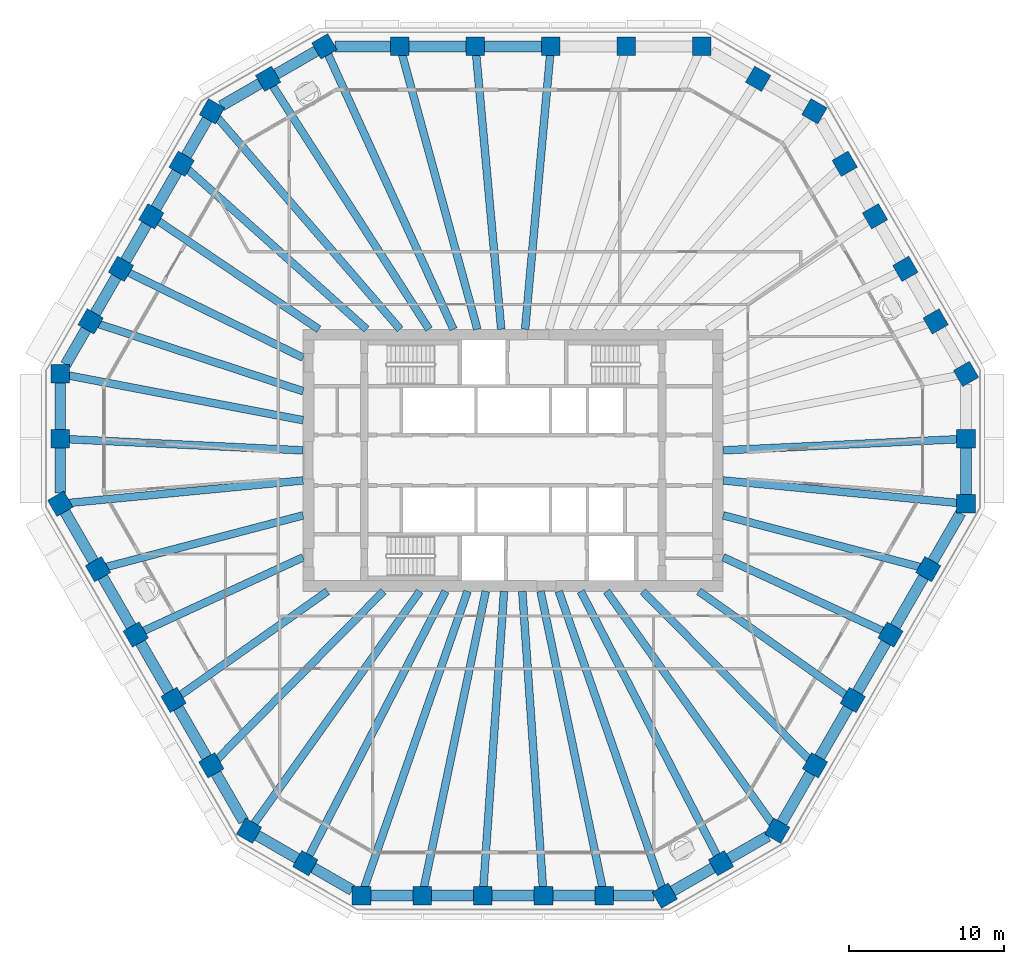
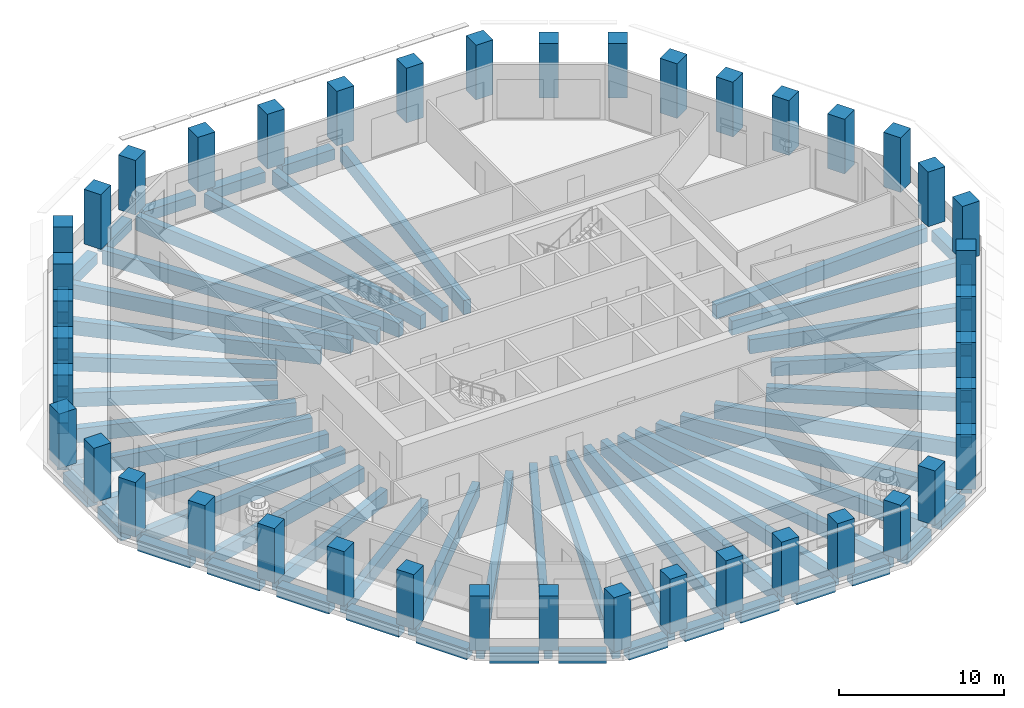
# One storey, part 1 of 12: 65 beams, 42 columns.
"""IFC4 building model written with IfcOpenShell, lengths in metres."""

from ifc_helpers import new_model, si_unit, direction, frame, origin, origin_2d, place, context, subcontext, project, spatial, rectangle, extrude, material, material_profile, profile_set, type_object, element, save


model = new_model("IFC4")

# Units and contexts
model_context = context("Model", 3, precision=1e-05, world=origin(), true_north=direction((0.0, 1.0)))
body_context = subcontext(model_context, "Body", "Model", "MODEL_VIEW")
ifc_project = project(units=[si_unit("LENGTHUNIT", "METRE"), si_unit("AREAUNIT", "SQUARE_METRE"), si_unit("VOLUMEUNIT", "CUBIC_METRE"), si_unit("PLANEANGLEUNIT", "RADIAN"), si_unit("MASSUNIT", "GRAM", prefix="KILO")], contexts=[model_context])

# Site, building, storey
site_placement = place(None, origin())
site = spatial("IfcSite", under=ifc_project, at=site_placement, CompositionType="ELEMENT")
building_placement = place(site_placement, origin())
building = spatial("IfcBuilding", under=site, at=building_placement, Name="Frailejon Research Tower", CompositionType="ELEMENT")
storey_placement = place(building_placement, frame((0.0, 0.0, 189.199951171875)))
storey = spatial("IfcBuildingStorey", under=building, at=storey_placement, Name="L41", CompositionType="ELEMENT", Elevation=189.199951171875)

# Columns
ifc_material_1 = material(Name="Concrete C60/75", Category="concrete")
ifc_material_profile_1 = material_profile(ifc_material_1, rectangle(XDim=1.199951171875, YDim=1.199951171875, at=origin_2d()), Name="Column 1200")
ifc_profile_set_1 = profile_set([ifc_material_profile_1], Name="Concrete C60/75")
column_type = type_object("IfcColumnType", Name="Column 1200", PredefinedType="COLUMN", material=ifc_profile_set_1)
for number, where, z_axis, x_axis, name in (
    (1, (29.211181640625, -2.8046875, 0.0), (0.0, 0.0, 1.0), (0.0, 1.0, 0.0), "Column C01"),
    (2, (29.211181640625, 1.3828125, 0.0), (0.0, 0.0, 1.0), (0.0, 1.0, 0.0), "Column C02"),
    (3, (29.211181640625, 5.5703125, 0.0), (0.0, 0.0, 1.0), (-0.5, 0.866025403784, 0.0), "Column C03"),
    (4, (27.2548828125, 8.958740234375, 0.0), (0.0, 0.0, 1.0), (-0.5, 0.866025403784, 0.0), "Column C04"),
    (5, (25.298583984375, 12.34716796875, 0.0), (0.0, 0.0, 1.0), (-0.5, 0.866025403784, 0.0), "Column C05"),
    (6, (23.34228515625, 15.735595703125, 0.0), (0.0, 0.0, 1.0), (-0.5, 0.866025403784, 0.0), "Column C06"),
    (7, (21.385986328125, 19.1240234375, 0.0), (0.0, 0.0, 1.0), (-0.5, 0.866025403784, 0.0), "Column C07"),
    (8, (19.4296875, 22.512451171875, 0.0), (0.0, 0.0, 1.0), (-0.866025403784, 0.5, 0.0), "Column C08"),
    (9, (15.802978515625, 24.606201171875, 0.0), (0.0, 0.0, 1.0), (-0.866025403784, 0.5, 0.0), "Column C09"),
    (10, (12.176513671875, 26.699951171875, 0.0), (0.0, 0.0, 1.0), (-1.0, 0.0, 0.0), "Column C10"),
    (11, (7.305908203125, 26.699951171875, 0.0), (0.0, 0.0, 1.0), (-1.0, 0.0, 0.0), "Column C11"),
    (12, (2.435302734375, 26.699951171875, 0.0), (0.0, 0.0, 1.0), (-1.0, 0.0, 0.0), "Column C12"),
    (13, (-2.435302734375, 26.699951171875, 0.0), (0.0, 0.0, 1.0), (-1.0, 0.0, 0.0), "Column C13"),
    (14, (-7.305908203125, 26.699951171875, 0.0), (0.0, 0.0, 1.0), (-1.0, 0.0, 0.0), "Column C14"),
    (15, (-12.176513671875, 26.699951171875, 0.0), (0.0, 0.0, 1.0), (-0.866025403784, -0.5, 0.0), "Column C15"),
    (16, (-15.802978515625, 24.606201171875, 0.0), (0.0, 0.0, 1.0), (-0.866025403784, -0.5, 0.0), "Column C16"),
    (17, (-19.4296875, 22.512451171875, 0.0), (0.0, 0.0, 1.0), (-0.5, -0.866025403784, 0.0), "Column C17"),
    (18, (-21.385986328125, 19.1240234375, 0.0), (0.0, 0.0, 1.0), (-0.5, -0.866025403784, 0.0), "Column C18"),
    (19, (-23.34228515625, 15.735595703125, 0.0), (0.0, 0.0, 1.0), (-0.5, -0.866025403784, 0.0), "Column C19"),
    (20, (-25.298583984375, 12.34716796875, 0.0), (0.0, 0.0, 1.0), (-0.5, -0.866025403784, 0.0), "Column C20"),
    (21, (-27.2548828125, 8.958740234375, 0.0), (0.0, 0.0, 1.0), (-0.5, -0.866025403784, 0.0), "Column C21"),
    (22, (-29.211181640625, 5.5703125, 0.0), (0.0, 0.0, 1.0), (0.0, -1.0, 0.0), "Column C22"),
    (23, (-29.211181640625, 1.3828125, 0.0), (0.0, 0.0, 1.0), (0.0, -1.0, 0.0), "Column C23"),
    (24, (-29.211181640625, -2.8046875, 0.0), (0.0, 0.0, 1.0), (0.5, -0.866025403784, 0.0), "Column C24"),
    (25, (-26.77587890625, -7.02294921875, 0.0), (0.0, 0.0, 1.0), (0.5, -0.866025403784, 0.0), "Column C25"),
    (26, (-24.340576171875, -11.240966796875, 0.0), (0.0, 0.0, 1.0), (0.5, -0.866025403784, 0.0), "Column C26"),
    (27, (-21.9052734375, -15.458984375, 0.0), (0.0, 0.0, 1.0), (0.5, -0.866025403784, 0.0), "Column C27"),
    (28, (-19.469970703125, -19.677001953125, 0.0), (0.0, 0.0, 1.0), (0.5, -0.866025403784, 0.0), "Column C28"),
    (29, (-17.03466796875, -23.895263671875, 0.0), (0.0, 0.0, 1.0), (0.866025403784, -0.5, 0.0), "Column C29"),
    (30, (-13.408203125, -25.989013671875, 0.0), (0.0, 0.0, 1.0), (0.866025403784, -0.5, 0.0), "Column C30"),
    (31, (-9.781494140625, -28.082763671875, 0.0), (0.0, 0.0, 1.0), (1.0, 0.0, 0.0), "Column C31"),
    (32, (-5.868896484375, -28.082763671875, 0.0), (0.0, 0.0, 1.0), (1.0, 0.0, 0.0), "Column C32"),
    (33, (-1.956298828125, -28.082763671875, 0.0), (0.0, 0.0, 1.0), (1.0, 0.0, 0.0), "Column C33"),
    (34, (1.956298828125, -28.082763671875, 0.0), (0.0, 0.0, 1.0), (1.0, 0.0, 0.0), "Column C34"),
    (35, (5.868896484375, -28.082763671875, 0.0), (0.0, 0.0, 1.0), (1.0, 0.0, 0.0), "Column C35"),
    (36, (9.781494140625, -28.082763671875, 0.0), (0.0, 0.0, 1.0), (0.866025403784, 0.5, 0.0), "Column C36"),
    (37, (13.408203125, -25.989013671875, 0.0), (0.0, 0.0, 1.0), (0.866025403784, 0.5, 0.0), "Column C37"),
    (38, (17.03466796875, -23.895263671875, 0.0), (0.0, 0.0, 1.0), (0.5, 0.866025403784, 0.0), "Column C38"),
    (39, (19.469970703125, -19.677001953125, 0.0), (0.0, 0.0, 1.0), (0.5, 0.866025403784, 0.0), "Column C39"),
    (40, (21.9052734375, -15.458984375, 0.0), (0.0, 0.0, 1.0), (0.5, 0.866025403784, 0.0), "Column C40"),
    (41, (24.340576171875, -11.240966796875, 0.0), (0.0, 0.0, 1.0), (0.5, 0.866025403784, 0.0), "Column C41"),
    (42, (26.77587890625, -7.02294921875, 0.0), (0.0, 0.0, 1.0), (0.5, 0.866025403784, 0.0), "Column C42"),
):
    element("IfcColumn", number, at=place(storey_placement, frame(where, z_axis=z_axis, x_axis=x_axis)), inside=storey, type_object=column_type, Name=name, PredefinedType="COLUMN", context=body_context, shape_type="SweptSolid", body=[
        extrude(rectangle(XDim=1.199951171875, YDim=1.199951171875, at=origin_2d()), origin(), (0.0, 0.0, 1.0), 4.050048828125),
    ])

# Beams
ifc_material_2 = material(Name="Concrete C60/75", Category="concrete")
ifc_material_profile_2 = material_profile(ifc_material_2, rectangle(XDim=0.5, YDim=1.050048828125, at=origin_2d()), Name="Girder 500x1050")
ifc_profile_set_2 = profile_set([ifc_material_profile_2], Name="Concrete C60/75")
beam_type_1 = type_object("IfcBeamType", Name="Girder 500x1050", PredefinedType="BEAM", material=ifc_profile_set_2)
beam_1_placement = place(storey_placement, frame((28.760498046875, -2.761474609375, -0.824951171875), z_axis=(-0.995422075733, 0.095576624459, 0.0), x_axis=(-0.095576624459, -0.995422075733, 0.0)))
element("IfcBeam", 43, at=beam_1_placement, inside=storey, type_object=beam_type_1, Name="Girder 500x1050", PredefinedType="BEAM", context=body_context, shape_type="SweptSolid", body=[
    extrude(rectangle(XDim=0.5, YDim=1.050048828125, at=origin_2d()), origin(), (0.0, 0.0, 1.0), 15.280517578125),
])
beam_2_placement = place(storey_placement, frame((28.760986328125, 1.361572265625, -0.824951171875), z_axis=(-0.998880941735, -0.047295499135, 0.0), x_axis=(0.047295499135, -0.998880941735, 0.0)))
element("IfcBeam", 44, at=beam_2_placement, inside=storey, type_object=beam_type_1, Name="Girder 500x1050", PredefinedType="BEAM", context=body_context, shape_type="SweptSolid", body=[
    extrude(rectangle(XDim=0.5, YDim=1.050048828125, at=origin_2d()), origin(), (0.0, 0.0, 1.0), 15.22802734375),
])
for number, where, z_axis, x_axis, name in (
    (45, (2.394287109375, 26.24951171875, -0.824951171875), (-0.090835017193, -0.99586595466, 0.0), (0.99586595466, -0.090835017193, 0.0), "Girder 500x1050"),
    (46, (-2.394287109375, 26.24951171875, -0.824951171875), (0.090835017193, -0.99586595466, 0.0), (0.99586595466, 0.090835017193, 0.0), "Girder 500x1050"),
):
    element("IfcBeam", number, at=place(storey_placement, frame(where, z_axis=z_axis, x_axis=x_axis)), inside=storey, type_object=beam_type_1, Name=name, PredefinedType="BEAM", context=body_context, shape_type="SweptSolid", body=[
        extrude(rectangle(XDim=0.5, YDim=1.050048828125, at=origin_2d()), origin(), (0.0, 0.0, 1.0), 17.87353515625),
    ])
beam_3_placement = place(storey_placement, frame((-7.181396484375, 26.24462890625, -0.824951171875), z_axis=(0.26392689173, -0.964542687402, 0.0), x_axis=(0.964542687402, 0.26392689173, 0.0)))
element("IfcBeam", 47, at=beam_3_placement, inside=storey, type_object=beam_type_1, Name="Girder 500x1050", PredefinedType="BEAM", context=body_context, shape_type="SweptSolid", body=[
    extrude(rectangle(XDim=0.5, YDim=1.050048828125, at=origin_2d()), origin(), (0.0, 0.0, 1.0), 18.44873046875),
])
beam_4_placement = place(storey_placement, frame((-11.988525390625, 26.2880859375, -0.824951171875), z_axis=(0.414934108242, -0.909851463602, 0.0), x_axis=(0.909851463602, 0.414934108242, 0.0)))
element("IfcBeam", 48, at=beam_4_placement, inside=storey, type_object=beam_type_1, Name="Girder 500x1050", PredefinedType="BEAM", context=body_context, shape_type="SweptSolid", body=[
    extrude(rectangle(XDim=0.5, YDim=1.050048828125, at=origin_2d()), origin(), (0.0, 0.0, 1.0), 19.60546875),
])
beam_5_placement = place(storey_placement, frame((-15.5595703125, 24.22705078125, -0.824951171875), z_axis=(0.540385728464, -0.841417413935, 0.0), x_axis=(0.841417413935, 0.540385728464, 0.0)))
element("IfcBeam", 49, at=beam_5_placement, inside=storey, type_object=beam_type_1, Name="Girder 500x1050", PredefinedType="BEAM", context=body_context, shape_type="SweptSolid", body=[
    extrude(rectangle(XDim=0.5, YDim=1.050048828125, at=origin_2d()), origin(), (0.0, 0.0, 1.0), 18.750732421875),
])
beam_6_placement = place(storey_placement, frame((-19.112548828125, 22.14501953125, -0.824951171875), z_axis=(0.653367200863, -0.757041148708, 0.0), x_axis=(0.757041148708, 0.653367200863, 0.0)))
element("IfcBeam", 50, at=beam_6_placement, inside=storey, type_object=beam_type_1, Name="Girder 500x1050", PredefinedType="BEAM", context=body_context, shape_type="SweptSolid", body=[
    extrude(rectangle(XDim=0.5, YDim=1.050048828125, at=origin_2d()), origin(), (0.0, 0.0, 1.0), 18.09033203125),
])
beam_7_placement = place(storey_placement, frame((-21.040771484375, 18.8154296875, -0.824951171875), z_axis=(0.745423192946, -0.666591526663, 0.0), x_axis=(0.666591526663, 0.745423192946, 0.0)))
element("IfcBeam", 51, at=beam_7_placement, inside=storey, type_object=beam_type_1, Name="Girder 500x1050", PredefinedType="BEAM", context=body_context, shape_type="SweptSolid", body=[
    extrude(rectangle(XDim=0.5, YDim=1.050048828125, at=origin_2d()), origin(), (0.0, 0.0, 1.0), 15.550048828125),
])
beam_8_placement = place(storey_placement, frame((-22.968017578125, 15.483154296875, -0.824951171875), z_axis=(0.829191550788, -0.55896455353, 0.0), x_axis=(0.55896455353, 0.829191550788, 0.0)))
element("IfcBeam", 52, at=beam_8_placement, inside=storey, type_object=beam_type_1, Name="Girder 500x1050", PredefinedType="BEAM", context=body_context, shape_type="SweptSolid", body=[
    extrude(rectangle(XDim=0.5, YDim=1.050048828125, at=origin_2d()), origin(), (0.0, 0.0, 1.0), 12.58251953125),
])
beam_9_placement = place(storey_placement, frame((-24.892822265625, 12.149169921875, -0.824951171875), z_axis=(0.898680124008, -0.438604645111, 0.0), x_axis=(0.438604645111, 0.898680124008, 0.0)))
element("IfcBeam", 53, at=beam_9_placement, inside=storey, type_object=beam_type_1, Name="Girder 500x1050", PredefinedType="BEAM", context=body_context, shape_type="SweptSolid", body=[
    extrude(rectangle(XDim=0.5, YDim=1.050048828125, at=origin_2d()), origin(), (0.0, 0.0, 1.0), 12.62158203125),
])
beam_10_placement = place(storey_placement, frame((-26.81494140625, 8.814208984375, -0.824951171875), z_axis=(0.949991667334, -0.312275250374, 0.0), x_axis=(0.312275250374, 0.949991667334, 0.0)))
element("IfcBeam", 54, at=beam_10_placement, inside=storey, type_object=beam_type_1, Name="Girder 500x1050", PredefinedType="BEAM", context=body_context, shape_type="SweptSolid", body=[
    extrude(rectangle(XDim=0.5, YDim=1.050048828125, at=origin_2d()), origin(), (0.0, 0.0, 1.0), 13.963134765625),
])
beam_11_placement = place(storey_placement, frame((-28.75830078125, 5.48388671875, -0.824951171875), z_axis=(0.982301833561, -0.187304852536, 0.0), x_axis=(0.187304852536, 0.982301833561, 0.0)))
element("IfcBeam", 55, at=beam_11_placement, inside=storey, type_object=beam_type_1, Name="Girder 500x1050", PredefinedType="BEAM", context=body_context, shape_type="SweptSolid", body=[
    extrude(rectangle(XDim=0.5, YDim=1.050048828125, at=origin_2d()), origin(), (0.0, 0.0, 1.0), 15.482177734375),
])
beam_12_placement = place(storey_placement, frame((-28.760986328125, 1.361572265625, -0.824951171875), z_axis=(0.998880941735, -0.047295499135, 0.0), x_axis=(0.047295499135, 0.998880941735, 0.0)))
element("IfcBeam", 56, at=beam_12_placement, inside=storey, type_object=beam_type_1, Name="Girder 500x1050", PredefinedType="BEAM", context=body_context, shape_type="SweptSolid", body=[
    extrude(rectangle(XDim=0.5, YDim=1.050048828125, at=origin_2d()), origin(), (0.0, 0.0, 1.0), 15.22802734375),
])
beam_13_placement = place(storey_placement, frame((-28.7041015625, -2.756103515625, -0.824951171875), z_axis=(0.995421801499, 0.095579480545, 0.0), x_axis=(-0.095579480545, 0.995421801499, 0.0)))
element("IfcBeam", 57, at=beam_13_placement, inside=storey, type_object=beam_type_1, Name="Girder 500x1050", PredefinedType="BEAM", context=body_context, shape_type="SweptSolid", body=[
    extrude(rectangle(XDim=0.5, YDim=1.050048828125, at=origin_2d()), origin(), (0.0, 0.0, 1.0), 15.2236328125),
])
beam_14_placement = place(storey_placement, frame((-26.319091796875, -6.903076171875, -0.824951171875), z_axis=(0.967282154097, 0.253703043668, 0.0), x_axis=(-0.253703043668, 0.967282154097, 0.0)))
element("IfcBeam", 58, at=beam_14_placement, inside=storey, type_object=beam_type_1, Name="Girder 500x1050", PredefinedType="BEAM", context=body_context, shape_type="SweptSolid", body=[
    extrude(rectangle(XDim=0.5, YDim=1.050048828125, at=origin_2d()), origin(), (0.0, 0.0, 1.0), 13.200927734375),
])
beam_15_placement = place(storey_placement, frame((-23.9296875, -11.05126953125, -0.824951171875), z_axis=(0.90786436201, 0.419263998206, 0.0), x_axis=(-0.419263998206, 0.90786436201, 0.0)))
element("IfcBeam", 59, at=beam_15_placement, inside=storey, type_object=beam_type_1, Name="Girder 500x1050", PredefinedType="BEAM", context=body_context, shape_type="SweptSolid", body=[
    extrude(rectangle(XDim=0.5, YDim=1.050048828125, at=origin_2d()), origin(), (0.0, 0.0, 1.0), 11.43310546875),
])
beam_16_placement = place(storey_placement, frame((-21.535400390625, -15.197998046875, -0.824951171875), z_axis=(0.817032608379, 0.576591464423, 0.0), x_axis=(-0.576591464423, 0.817032608379, 0.0)))
element("IfcBeam", 60, at=beam_16_placement, inside=storey, type_object=beam_type_1, Name="Girder 500x1050", PredefinedType="BEAM", context=body_context, shape_type="SweptSolid", body=[
    extrude(rectangle(XDim=0.5, YDim=1.050048828125, at=origin_2d()), origin(), (0.0, 0.0, 1.0), 11.703369140625),
])
beam_17_placement = place(storey_placement, frame((-19.137939453125, -19.341552734375, -0.824951171875), z_axis=(0.703352409906, 0.7108413237, 0.0), x_axis=(-0.7108413237, 0.703352409906, 0.0)))
element("IfcBeam", 61, at=beam_17_placement, inside=storey, type_object=beam_type_1, Name="Girder 500x1050", PredefinedType="BEAM", context=body_context, shape_type="SweptSolid", body=[
    extrude(rectangle(XDim=0.5, YDim=1.050048828125, at=origin_2d()), origin(), (0.0, 0.0, 1.0), 15.322021484375),
])
beam_18_placement = place(storey_placement, frame((-16.771728515625, -23.526611328125, -0.824951171875), z_axis=(0.580478331668, 0.814275694383, 0.0), x_axis=(-0.814275694383, 0.580478331668, 0.0)))
element("IfcBeam", 62, at=beam_18_placement, inside=storey, type_object=beam_type_1, Name="Girder 500x1050", PredefinedType="BEAM", context=body_context, shape_type="SweptSolid", body=[
    extrude(rectangle(XDim=0.5, YDim=1.050048828125, at=origin_2d()), origin(), (0.0, 0.0, 1.0), 18.515380859375),
])
beam_19_placement = place(storey_placement, frame((-13.201416015625, -25.58837890625, -0.824951171875), z_axis=(0.458485544695, 0.888701865254, 0.0), x_axis=(-0.888701865254, 0.458485544695, 0.0)))
element("IfcBeam", 63, at=beam_19_placement, inside=storey, type_object=beam_type_1, Name="Girder 500x1050", PredefinedType="BEAM", context=body_context, shape_type="SweptSolid", body=[
    extrude(rectangle(XDim=0.5, YDim=1.050048828125, at=origin_2d()), origin(), (0.0, 0.0, 1.0), 19.28466796875),
])
beam_20_placement = place(storey_placement, frame((-9.621826171875, -27.62451171875, -0.824951171875), z_axis=(0.328929127062, 0.944354609969, 0.0), x_axis=(-0.944354609969, 0.328929127062, 0.0)))
element("IfcBeam", 64, at=beam_20_placement, inside=storey, type_object=beam_type_1, Name="Girder 500x1050", PredefinedType="BEAM", context=body_context, shape_type="SweptSolid", body=[
    extrude(rectangle(XDim=0.5, YDim=1.050048828125, at=origin_2d()), origin(), (0.0, 0.0, 1.0), 20.304443359375),
])
beam_21_placement = place(storey_placement, frame((-5.774169921875, -27.629638671875, -0.824951171875), z_axis=(0.204567218068, 0.978852518663, 0.0), x_axis=(-0.978852518663, 0.204567218068, 0.0)))
element("IfcBeam", 65, at=beam_21_placement, inside=storey, type_object=beam_type_1, Name="Girder 500x1050", PredefinedType="BEAM", context=body_context, shape_type="SweptSolid", body=[
    extrude(rectangle(XDim=0.5, YDim=1.050048828125, at=origin_2d()), origin(), (0.0, 0.0, 1.0), 19.593994140625),
])
for number, where, z_axis, x_axis, name in (
    (66, (-1.9248046875, -27.63232421875, -0.824951171875), (0.06948836665, 0.99758276193, 0.0), (-0.99758276193, 0.06948836665, 0.0), "Girder 500x1050"),
    (67, (1.9248046875, -27.63232421875, -0.824951171875), (-0.06948836665, 0.99758276193, 0.0), (-0.99758276193, -0.06948836665, 0.0), "Girder 500x1050"),
):
    element("IfcBeam", number, at=place(storey_placement, frame(where, z_axis=z_axis, x_axis=x_axis)), inside=storey, type_object=beam_type_1, Name=name, PredefinedType="BEAM", context=body_context, shape_type="SweptSolid", body=[
        extrude(rectangle(XDim=0.5, YDim=1.050048828125, at=origin_2d()), origin(), (0.0, 0.0, 1.0), 19.228759765625),
    ])
beam_22_placement = place(storey_placement, frame((5.774169921875, -27.629638671875, -0.824951171875), z_axis=(-0.204567218068, 0.978852518663, 0.0), x_axis=(-0.978852518663, -0.204567218068, 0.0)))
element("IfcBeam", 68, at=beam_22_placement, inside=storey, type_object=beam_type_1, Name="Girder 500x1050", PredefinedType="BEAM", context=body_context, shape_type="SweptSolid", body=[
    extrude(rectangle(XDim=0.5, YDim=1.050048828125, at=origin_2d()), origin(), (0.0, 0.0, 1.0), 19.593994140625),
])
beam_23_placement = place(storey_placement, frame((9.6298828125, -27.647705078125, -0.824951171875), z_axis=(-0.328928167992, 0.944354944023, 0.0), x_axis=(-0.944354944023, -0.328928167992, 0.0)))
element("IfcBeam", 69, at=beam_23_placement, inside=storey, type_object=beam_type_1, Name="Girder 500x1050", PredefinedType="BEAM", context=body_context, shape_type="SweptSolid", body=[
    extrude(rectangle(XDim=0.5, YDim=1.050048828125, at=origin_2d()), origin(), (0.0, 0.0, 1.0), 20.328857421875),
])
beam_24_placement = place(storey_placement, frame((13.201416015625, -25.58837890625, -0.824951171875), z_axis=(-0.458485544695, 0.888701865254, 0.0), x_axis=(-0.888701865254, -0.458485544695, 0.0)))
element("IfcBeam", 70, at=beam_24_placement, inside=storey, type_object=beam_type_1, Name="Girder 500x1050", PredefinedType="BEAM", context=body_context, shape_type="SweptSolid", body=[
    extrude(rectangle(XDim=0.5, YDim=1.050048828125, at=origin_2d()), origin(), (0.0, 0.0, 1.0), 19.28466796875),
])
beam_25_placement = place(storey_placement, frame((16.739013671875, -23.48046875, -0.824951171875), z_axis=(-0.580484766177, 0.814271107332, 0.0), x_axis=(-0.814271107332, -0.580484766177, 0.0)))
element("IfcBeam", 71, at=beam_25_placement, inside=storey, type_object=beam_type_1, Name="Girder 500x1050", PredefinedType="BEAM", context=body_context, shape_type="SweptSolid", body=[
    extrude(rectangle(XDim=0.5, YDim=1.050048828125, at=origin_2d()), origin(), (0.0, 0.0, 1.0), 18.458740234375),
])
beam_26_placement = place(storey_placement, frame((19.137939453125, -19.341552734375, -0.824951171875), z_axis=(-0.703352409906, 0.7108413237, 0.0), x_axis=(-0.7108413237, -0.703352409906, 0.0)))
element("IfcBeam", 72, at=beam_26_placement, inside=storey, type_object=beam_type_1, Name="Girder 500x1050", PredefinedType="BEAM", context=body_context, shape_type="SweptSolid", body=[
    extrude(rectangle(XDim=0.5, YDim=1.050048828125, at=origin_2d()), origin(), (0.0, 0.0, 1.0), 15.322021484375),
])
beam_27_placement = place(storey_placement, frame((21.535400390625, -15.197998046875, -0.824951171875), z_axis=(-0.817032608379, 0.576591464423, 0.0), x_axis=(-0.576591464423, -0.817032608379, 0.0)))
element("IfcBeam", 73, at=beam_27_placement, inside=storey, type_object=beam_type_1, Name="Girder 500x1050", PredefinedType="BEAM", context=body_context, shape_type="SweptSolid", body=[
    extrude(rectangle(XDim=0.5, YDim=1.050048828125, at=origin_2d()), origin(), (0.0, 0.0, 1.0), 11.703369140625),
])
beam_28_placement = place(storey_placement, frame((23.9296875, -11.05126953125, -0.824951171875), z_axis=(-0.90786436201, 0.419263998206, 0.0), x_axis=(-0.419263998206, -0.90786436201, 0.0)))
element("IfcBeam", 74, at=beam_28_placement, inside=storey, type_object=beam_type_1, Name="Girder 500x1050", PredefinedType="BEAM", context=body_context, shape_type="SweptSolid", body=[
    extrude(rectangle(XDim=0.5, YDim=1.050048828125, at=origin_2d()), origin(), (0.0, 0.0, 1.0), 11.43310546875),
])
beam_29_placement = place(storey_placement, frame((26.319091796875, -6.903076171875, -0.824951171875), z_axis=(-0.967282154097, 0.253703043668, 0.0), x_axis=(-0.253703043668, -0.967282154097, 0.0)))
element("IfcBeam", 75, at=beam_29_placement, inside=storey, type_object=beam_type_1, Name="Girder 500x1050", PredefinedType="BEAM", context=body_context, shape_type="SweptSolid", body=[
    extrude(rectangle(XDim=0.5, YDim=1.050048828125, at=origin_2d()), origin(), (0.0, 0.0, 1.0), 13.200927734375),
])
ifc_material_3 = material(Name="Concrete C60/75", Category="concrete")
ifc_material_profile_3 = material_profile(ifc_material_3, rectangle(XDim=0.699951171875, YDim=0.800048828125, at=origin_2d()), Name="Spandrel 700x800")
ifc_profile_set_3 = profile_set([ifc_material_profile_3], Name="Concrete C60/75")
beam_type_2 = type_object("IfcBeamType", Name="Spandrel 700x800", PredefinedType="BEAM", material=ifc_profile_set_3)
beam_30_placement = place(storey_placement, frame((29.211181640625, -2.204833984375, -0.75), z_axis=(0.0, 1.0, 0.0), x_axis=(-1.0, 0.0, 0.0)))
element("IfcBeam", 76, at=beam_30_placement, inside=storey, type_object=beam_type_2, Name="Spandrel 700x800", PredefinedType="BEAM", context=body_context, shape_type="SweptSolid", body=[
    extrude(rectangle(XDim=0.699951171875, YDim=0.800048828125, at=origin_2d()), origin(), (0.0, 0.0, 1.0), 2.987548828125),
])
for number, where, z_axis, x_axis, name in (
    (77, (1.835205078125, 26.699951171875, -0.75), (-1.0, 0.0, 0.0), (0.0, -1.0, 0.0), "Spandrel 700x800"),
    (78, (-3.035400390625, 26.699951171875, -0.75), (-1.0, 0.0, 0.0), (0.0, -1.0, 0.0), "Spandrel 700x800"),
):
    element("IfcBeam", number, at=place(storey_placement, frame(where, z_axis=z_axis, x_axis=x_axis)), inside=storey, type_object=beam_type_2, Name=name, PredefinedType="BEAM", context=body_context, shape_type="SweptSolid", body=[
        extrude(rectangle(XDim=0.699951171875, YDim=0.800048828125, at=origin_2d()), origin(), (0.0, 0.0, 1.0), 3.67041015625),
    ])
beam_31_placement = place(storey_placement, frame((-7.906005859375, 26.699951171875, -0.75), z_axis=(-1.0, 0.0, 0.0), x_axis=(0.0, -1.0, 0.0)))
element("IfcBeam", 79, at=beam_31_placement, inside=storey, type_object=beam_type_2, Name="Spandrel 700x800", PredefinedType="BEAM", context=body_context, shape_type="SweptSolid", body=[
    extrude(rectangle(XDim=0.699951171875, YDim=0.800048828125, at=origin_2d()), origin(), (0.0, 0.0, 1.0), 3.57763671875),
])
beam_32_placement = place(storey_placement, frame((-12.696044921875, 26.39990234375, -0.75), z_axis=(-0.866052229876, -0.499953532967, 0.0), x_axis=(0.499953532967, -0.866052229876, 0.0)))
element("IfcBeam", 80, at=beam_32_placement, inside=storey, type_object=beam_type_2, Name="Spandrel 700x800", PredefinedType="BEAM", context=body_context, shape_type="SweptSolid", body=[
    extrude(rectangle(XDim=0.699951171875, YDim=0.800048828125, at=origin_2d()), origin(), (0.0, 0.0, 1.0), 2.987548828125),
])
beam_33_placement = place(storey_placement, frame((-16.32275390625, 24.30615234375, -0.75), z_axis=(-0.866033897268, -0.499985288567, 0.0), x_axis=(0.499985288567, -0.866033897268, 0.0)))
element("IfcBeam", 81, at=beam_33_placement, inside=storey, type_object=beam_type_2, Name="Spandrel 700x800", PredefinedType="BEAM", context=body_context, shape_type="SweptSolid", body=[
    extrude(rectangle(XDim=0.699951171875, YDim=0.800048828125, at=origin_2d()), origin(), (0.0, 0.0, 1.0), 2.89453125),
])
for number, where, z_axis, x_axis, name in (
    (82, (-19.7294921875, 21.992919921875, -0.75), (-0.500010688608, -0.866019232626, 0.0), (0.866019232626, -0.500010688608, 0.0), "Spandrel 700x800"),
    (83, (-21.685791015625, 18.6044921875, -0.75), (-0.500010688608, -0.866019232626, 0.0), (0.866019232626, -0.500010688608, 0.0), "Spandrel 700x800"),
    (84, (-23.64208984375, 15.216064453125, -0.75), (-0.500010688608, -0.866019232626, 0.0), (0.866019232626, -0.500010688608, 0.0), "Spandrel 700x800"),
    (85, (-25.598388671875, 11.82763671875, -0.75), (-0.500010688608, -0.866019232626, 0.0), (0.866019232626, -0.500010688608, 0.0), "Spandrel 700x800"),
):
    element("IfcBeam", number, at=place(storey_placement, frame(where, z_axis=z_axis, x_axis=x_axis)), inside=storey, type_object=beam_type_2, Name=name, PredefinedType="BEAM", context=body_context, shape_type="SweptSolid", body=[
        extrude(rectangle(XDim=0.699951171875, YDim=0.800048828125, at=origin_2d()), origin(), (0.0, 0.0, 1.0), 2.712890625),
    ])
beam_34_placement = place(storey_placement, frame((-27.5546875, 8.439208984375, -0.75), z_axis=(-0.500047801172, -0.865997804006, 0.0), x_axis=(0.865997804006, -0.500047801172, 0.0)))
element("IfcBeam", 86, at=beam_34_placement, inside=storey, type_object=beam_type_2, Name="Spandrel 700x800", PredefinedType="BEAM", context=body_context, shape_type="SweptSolid", body=[
    extrude(rectangle(XDim=0.699951171875, YDim=0.800048828125, at=origin_2d()), origin(), (0.0, 0.0, 1.0), 2.619873046875),
])
beam_35_placement = place(storey_placement, frame((-29.211181640625, 4.97021484375, -0.75), z_axis=(0.0, -1.0, 0.0), x_axis=(1.0, 0.0, 0.0)))
element("IfcBeam", 87, at=beam_35_placement, inside=storey, type_object=beam_type_2, Name="Spandrel 700x800", PredefinedType="BEAM", context=body_context, shape_type="SweptSolid", body=[
    extrude(rectangle(XDim=0.699951171875, YDim=0.800048828125, at=origin_2d()), origin(), (0.0, 0.0, 1.0), 2.9873046875),
])
beam_36_placement = place(storey_placement, frame((-29.211181640625, 0.78271484375, -0.75), z_axis=(0.0, -1.0, 0.0), x_axis=(1.0, 0.0, 0.0)))
element("IfcBeam", 88, at=beam_36_placement, inside=storey, type_object=beam_type_2, Name="Spandrel 700x800", PredefinedType="BEAM", context=body_context, shape_type="SweptSolid", body=[
    extrude(rectangle(XDim=0.699951171875, YDim=0.800048828125, at=origin_2d()), origin(), (0.0, 0.0, 1.0), 2.894775390625),
])
for number, where, z_axis, x_axis, name in (
    (89, (-28.9111328125, -3.324462890625, -0.75), (0.50001606911, -0.866016126081, 0.0), (0.866016126081, 0.50001606911, 0.0), "Spandrel 700x800"),
    (90, (-26.475830078125, -7.54248046875, -0.75), (0.50001606911, -0.866016126081, 0.0), (0.866016126081, 0.50001606911, 0.0), "Spandrel 700x800"),
    (91, (-24.04052734375, -11.760498046875, -0.75), (0.50001606911, -0.866016126081, 0.0), (0.866016126081, 0.50001606911, 0.0), "Spandrel 700x800"),
):
    element("IfcBeam", number, at=place(storey_placement, frame(where, z_axis=z_axis, x_axis=x_axis)), inside=storey, type_object=beam_type_2, Name=name, PredefinedType="BEAM", context=body_context, shape_type="SweptSolid", body=[
        extrude(rectangle(XDim=0.699951171875, YDim=0.800048828125, at=origin_2d()), origin(), (0.0, 0.0, 1.0), 3.6708984375),
    ])
beam_37_placement = place(storey_placement, frame((-21.605224609375, -15.978515625, -0.75), z_axis=(0.4999661858, -0.866044925542, 0.0), x_axis=(0.866044925542, 0.4999661858, 0.0)))
element("IfcBeam", 92, at=beam_37_placement, inside=storey, type_object=beam_type_2, Name="Spandrel 700x800", PredefinedType="BEAM", context=body_context, shape_type="SweptSolid", body=[
    extrude(rectangle(XDim=0.699951171875, YDim=0.800048828125, at=origin_2d()), origin(), (0.0, 0.0, 1.0), 3.670654296875),
])
beam_38_placement = place(storey_placement, frame((-19.169921875, -20.19677734375, -0.75), z_axis=(0.499992207027, -0.866029903013, 0.0), x_axis=(0.866029903013, 0.499992207027, 0.0)))
element("IfcBeam", 93, at=beam_38_placement, inside=storey, type_object=beam_type_2, Name="Spandrel 700x800", PredefinedType="BEAM", context=body_context, shape_type="SweptSolid", body=[
    extrude(rectangle(XDim=0.699951171875, YDim=0.800048828125, at=origin_2d()), origin(), (0.0, 0.0, 1.0), 3.57763671875),
])
beam_39_placement = place(storey_placement, frame((-16.514892578125, -24.1953125, -0.75), z_axis=(0.86603180189, -0.499988917992, 0.0), x_axis=(0.499988917992, 0.86603180189, 0.0)))
element("IfcBeam", 94, at=beam_39_placement, inside=storey, type_object=beam_type_2, Name="Spandrel 700x800", PredefinedType="BEAM", context=body_context, shape_type="SweptSolid", body=[
    extrude(rectangle(XDim=0.699951171875, YDim=0.800048828125, at=origin_2d()), origin(), (0.0, 0.0, 1.0), 2.9873046875),
])
beam_40_placement = place(storey_placement, frame((-12.888427734375, -26.2890625, -0.75), z_axis=(0.866033897268, -0.499985288567, 0.0), x_axis=(0.499985288567, 0.866033897268, 0.0)))
element("IfcBeam", 95, at=beam_40_placement, inside=storey, type_object=beam_type_2, Name="Spandrel 700x800", PredefinedType="BEAM", context=body_context, shape_type="SweptSolid", body=[
    extrude(rectangle(XDim=0.699951171875, YDim=0.800048828125, at=origin_2d()), origin(), (0.0, 0.0, 1.0), 2.89453125),
])
for number, where, z_axis, x_axis, name in (
    (96, (-9.181396484375, -28.082763671875, -0.75), (1.0, 0.0, 0.0), (0.0, 1.0, 0.0), "Spandrel 700x800"),
    (97, (-5.268798828125, -28.082763671875, -0.75), (1.0, 0.0, 0.0), (0.0, 1.0, 0.0), "Spandrel 700x800"),
    (98, (-1.356201171875, -28.082763671875, -0.75), (1.0, 0.0, 0.0), (0.0, 1.0, 0.0), "Spandrel 700x800"),
    (99, (2.556396484375, -28.082763671875, -0.75), (1.0, 0.0, 0.0), (0.0, 1.0, 0.0), "Spandrel 700x800"),
):
    element("IfcBeam", number, at=place(storey_placement, frame(where, z_axis=z_axis, x_axis=x_axis)), inside=storey, type_object=beam_type_2, Name=name, PredefinedType="BEAM", context=body_context, shape_type="SweptSolid", body=[
        extrude(rectangle(XDim=0.699951171875, YDim=0.800048828125, at=origin_2d()), origin(), (0.0, 0.0, 1.0), 2.71240234375),
    ])
beam_41_placement = place(storey_placement, frame((6.468994140625, -28.082763671875, -0.75), z_axis=(1.0, 0.0, 0.0), x_axis=(0.0, 1.0, 0.0)))
element("IfcBeam", 100, at=beam_41_placement, inside=storey, type_object=beam_type_2, Name="Spandrel 700x800", PredefinedType="BEAM", context=body_context, shape_type="SweptSolid", body=[
    extrude(rectangle(XDim=0.699951171875, YDim=0.800048828125, at=origin_2d()), origin(), (0.0, 0.0, 1.0), 2.61962890625),
])
beam_42_placement = place(storey_placement, frame((10.301025390625, -27.78271484375, -0.75), z_axis=(0.866052229876, 0.499953532967, 0.0), x_axis=(-0.499953532967, 0.866052229876, 0.0)))
element("IfcBeam", 101, at=beam_42_placement, inside=storey, type_object=beam_type_2, Name="Spandrel 700x800", PredefinedType="BEAM", context=body_context, shape_type="SweptSolid", body=[
    extrude(rectangle(XDim=0.699951171875, YDim=0.800048828125, at=origin_2d()), origin(), (0.0, 0.0, 1.0), 2.987548828125),
])
beam_43_placement = place(storey_placement, frame((13.927734375, -25.68896484375, -0.75), z_axis=(0.866033897268, 0.499985288567, 0.0), x_axis=(-0.499985288567, 0.866033897268, 0.0)))
element("IfcBeam", 102, at=beam_43_placement, inside=storey, type_object=beam_type_2, Name="Spandrel 700x800", PredefinedType="BEAM", context=body_context, shape_type="SweptSolid", body=[
    extrude(rectangle(XDim=0.699951171875, YDim=0.800048828125, at=origin_2d()), origin(), (0.0, 0.0, 1.0), 2.89453125),
])
beam_44_placement = place(storey_placement, frame((17.334716796875, -23.37548828125, -0.75), z_axis=(0.499994986164, 0.866028298505, 0.0), x_axis=(-0.866028298505, 0.499994986164, 0.0)))
element("IfcBeam", 103, at=beam_44_placement, inside=storey, type_object=beam_type_2, Name="Spandrel 700x800", PredefinedType="BEAM", context=body_context, shape_type="SweptSolid", body=[
    extrude(rectangle(XDim=0.699951171875, YDim=0.800048828125, at=origin_2d()), origin(), (0.0, 0.0, 1.0), 3.67041015625),
])
beam_45_placement = place(storey_placement, frame((19.77001953125, -19.157470703125, -0.75), z_axis=(0.4999661858, 0.866044925542, 0.0), x_axis=(-0.866044925542, 0.4999661858, 0.0)))
element("IfcBeam", 104, at=beam_45_placement, inside=storey, type_object=beam_type_2, Name="Spandrel 700x800", PredefinedType="BEAM", context=body_context, shape_type="SweptSolid", body=[
    extrude(rectangle(XDim=0.699951171875, YDim=0.800048828125, at=origin_2d()), origin(), (0.0, 0.0, 1.0), 3.670654296875),
])
for number, where, z_axis, x_axis, name in (
    (105, (22.205078125, -14.939453125, -0.75), (0.50001606911, 0.866016126081, 0.0), (-0.866016126081, 0.50001606911, 0.0), "Spandrel 700x800"),
    (106, (24.640380859375, -10.721435546875, -0.75), (0.50001606911, 0.866016126081, 0.0), (-0.866016126081, 0.50001606911, 0.0), "Spandrel 700x800"),
):
    element("IfcBeam", number, at=place(storey_placement, frame(where, z_axis=z_axis, x_axis=x_axis)), inside=storey, type_object=beam_type_2, Name=name, PredefinedType="BEAM", context=body_context, shape_type="SweptSolid", body=[
        extrude(rectangle(XDim=0.699951171875, YDim=0.800048828125, at=origin_2d()), origin(), (0.0, 0.0, 1.0), 3.6708984375),
    ])
beam_46_placement = place(storey_placement, frame((27.07568359375, -6.50341796875, -0.75), z_axis=(0.500013836808, 0.866017414952, 0.0), x_axis=(-0.866017414952, 0.500013836808, 0.0)))
element("IfcBeam", 107, at=beam_46_placement, inside=storey, type_object=beam_type_2, Name="Spandrel 700x800", PredefinedType="BEAM", context=body_context, shape_type="SweptSolid", body=[
    extrude(rectangle(XDim=0.699951171875, YDim=0.800048828125, at=origin_2d()), origin(), (0.0, 0.0, 1.0), 3.578125),
])

save(model, "model.ifc")
